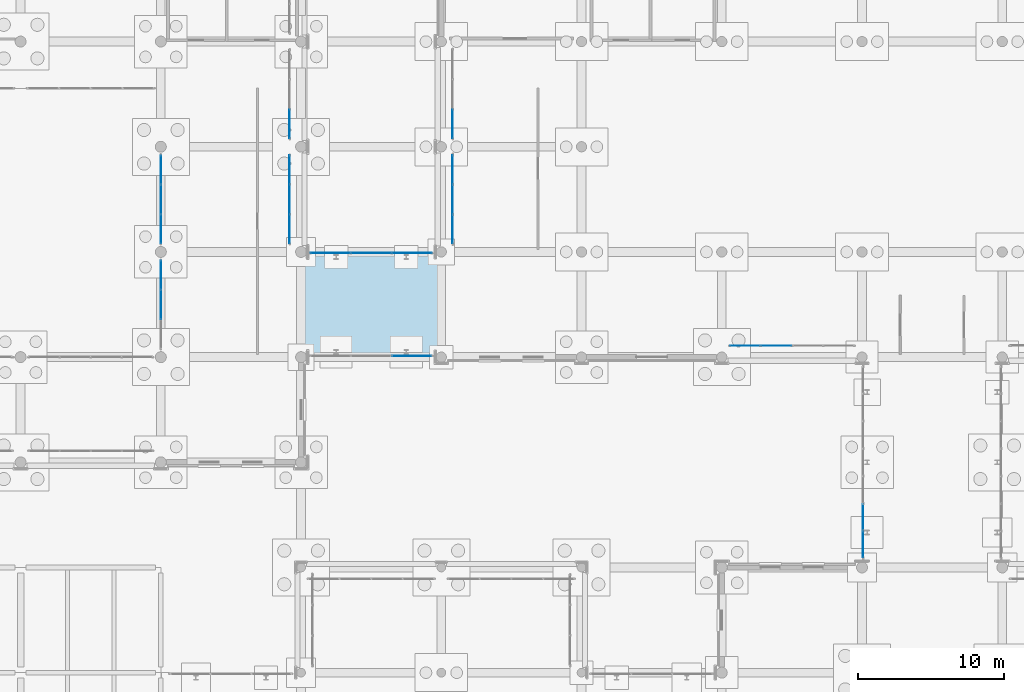
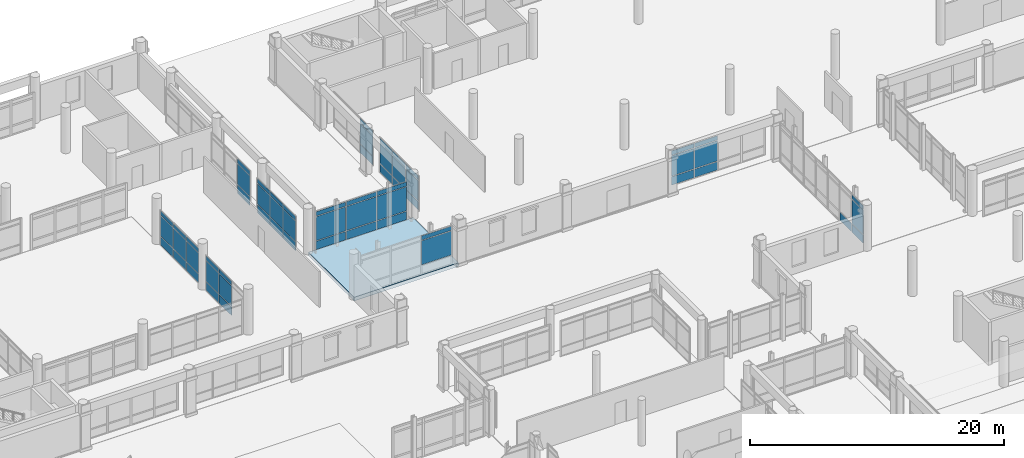
# One storey, part 152 of 196: 60 plates, 1 slab, 10 elements without a shape of their own.
"""IFC4 building model written with IfcOpenShell, lengths in metres."""

from ifc_helpers import new_model, si_unit, direction, frame, origin, origin_2d, place, context, subcontext, project, spatial, polyline, rectangle, outline, extrude, material, layer, layer_set, type_object, element, aggregate, save


model = new_model("IFC4")

# Units and contexts
model_context = context("Model", 3, precision=1e-05, world=origin(), true_north=direction((0.0, 1.0)))
body_context = subcontext(model_context, "Body", "Model", "MODEL_VIEW")
ifc_project = project(units=[si_unit("LENGTHUNIT", "METRE"), si_unit("AREAUNIT", "SQUARE_METRE"), si_unit("VOLUMEUNIT", "CUBIC_METRE"), si_unit("PLANEANGLEUNIT", "RADIAN"), si_unit("MASSUNIT", "GRAM", prefix="KILO")], contexts=[model_context])

# Site, building, storey
site_placement = place(None, origin())
site = spatial("IfcSite", under=ifc_project, at=site_placement, CompositionType="ELEMENT")
building_placement = place(site_placement, origin())
building = spatial("IfcBuilding", under=site, at=building_placement, Name="Asteropetra Specialist Clinic", CompositionType="ELEMENT")
storey_placement = place(building_placement, origin())
storey = spatial("IfcBuildingStorey", under=building, at=storey_placement, Name="L00", CompositionType="ELEMENT", Elevation=0.0)

# Curtain wall, plates
ifc_material_1 = material(Name="Aluminium and low-E glass", Category="aluminium")
ifc_layer_1 = layer(ifc_material_1, 0.179931640625)
ifc_layer_set_1 = layer_set([ifc_layer_1], Name="Aluminium and low-E glass")
curtain_wall_type_1 = type_object("IfcCurtainWallType", Name="CW-SYS-07", PredefinedType="USERDEFINED", material=ifc_layer_set_1)
curtain_wall_1_placement = place(storey_placement, origin())
curtain_wall_1 = element("IfcCurtainWall", 1, at=curtain_wall_1_placement, inside=storey, type_object=curtain_wall_type_1, Name="Curtain Wall CW-016", ObjectType="STICK GLAZED COLONNADE", PredefinedType="USERDEFINED")
ifc_material_2 = material(Name="Low-E double glazing", Category="glass")
ifc_layer_2 = layer(ifc_material_2, 0.028076171875)
ifc_layer_set_2 = layer_set([ifc_layer_2], Name="Low-E double glazing")
plate_type_1 = type_object("IfcPlateType", Name="CWP-GLZ-28", PredefinedType="CURTAIN_PANEL", material=ifc_layer_set_2)
plate_1_placement = place(storey_placement, frame((67.199951171875, 85.572998046875, 0.06494140625), z_axis=(0.0, 0.0, 1.0), x_axis=(0.0, 1.0, 0.0)))
plate_1 = element("IfcPlate", 2, at=plate_1_placement, type_object=plate_type_1, Name="CW-016 panel 1.1", PredefinedType="CURTAIN_PANEL", context=body_context, shape_type="SweptSolid", body=[
    extrude(rectangle(XDim=1.94580078125, YDim=0.028076171875, at=origin_2d()), origin(), (0.0, 0.0, 1.0), 0.802490234375),
])
plate_2_placement = place(storey_placement, frame((67.199951171875, 85.572998046875, 0.932373046875), z_axis=(0.0, 0.0, 1.0), x_axis=(0.0, 1.0, 0.0)))
plate_2 = element("IfcPlate", 3, at=plate_2_placement, type_object=plate_type_1, Name="CW-016 panel 1.2", PredefinedType="CURTAIN_PANEL", context=body_context, shape_type="SweptSolid", body=[
    extrude(rectangle(XDim=1.94580078125, YDim=0.028076171875, at=origin_2d()), origin(), (0.0, 0.0, 1.0), 1.955078125),
])
plate_3_placement = place(storey_placement, frame((67.199951171875, 85.572998046875, 2.95263671875), z_axis=(0.0, 0.0, 1.0), x_axis=(0.0, 1.0, 0.0)))
plate_3 = element("IfcPlate", 4, at=plate_3_placement, type_object=plate_type_1, Name="CW-016 panel 1.3", PredefinedType="CURTAIN_PANEL", context=body_context, shape_type="SweptSolid", body=[
    extrude(rectangle(XDim=1.94580078125, YDim=0.028076171875, at=origin_2d()), origin(), (0.0, 0.0, 1.0), 0.402587890625),
])
plate_4_placement = place(storey_placement, frame((67.199951171875, 87.60009765625, 0.06494140625), z_axis=(0.0, 0.0, 1.0), x_axis=(0.0, 1.0, 0.0)))
plate_4 = element("IfcPlate", 5, at=plate_4_placement, type_object=plate_type_1, Name="CW-016 panel 2.1", PredefinedType="CURTAIN_PANEL", context=body_context, shape_type="SweptSolid", body=[
    extrude(rectangle(XDim=1.978271484375, YDim=0.028076171875, at=origin_2d()), origin(), (0.0, 0.0, 1.0), 0.802490234375),
])
plate_5_placement = place(storey_placement, frame((67.199951171875, 87.60009765625, 0.932373046875), z_axis=(0.0, 0.0, 1.0), x_axis=(0.0, 1.0, 0.0)))
plate_5 = element("IfcPlate", 6, at=plate_5_placement, type_object=plate_type_1, Name="CW-016 panel 2.2", PredefinedType="CURTAIN_PANEL", context=body_context, shape_type="SweptSolid", body=[
    extrude(rectangle(XDim=1.978271484375, YDim=0.028076171875, at=origin_2d()), origin(), (0.0, 0.0, 1.0), 1.955078125),
])
plate_6_placement = place(storey_placement, frame((67.199951171875, 87.60009765625, 2.95263671875), z_axis=(0.0, 0.0, 1.0), x_axis=(0.0, 1.0, 0.0)))
plate_6 = element("IfcPlate", 7, at=plate_6_placement, type_object=plate_type_1, Name="CW-016 panel 2.3", PredefinedType="CURTAIN_PANEL", context=body_context, shape_type="SweptSolid", body=[
    extrude(rectangle(XDim=1.978271484375, YDim=0.028076171875, at=origin_2d()), origin(), (0.0, 0.0, 1.0), 0.402587890625),
])
plate_7_placement = place(storey_placement, frame((67.199951171875, 89.627197265625, 0.06494140625), z_axis=(0.0, 0.0, 1.0), x_axis=(0.0, 1.0, 0.0)))
plate_7 = element("IfcPlate", 8, at=plate_7_placement, type_object=plate_type_1, Name="CW-016 panel 3.1", PredefinedType="CURTAIN_PANEL", context=body_context, shape_type="SweptSolid", body=[
    extrude(rectangle(XDim=1.94580078125, YDim=0.028076171875, at=origin_2d()), origin(), (0.0, 0.0, 1.0), 0.802490234375),
])
plate_8_placement = place(storey_placement, frame((67.199951171875, 89.627197265625, 0.932373046875), z_axis=(0.0, 0.0, 1.0), x_axis=(0.0, 1.0, 0.0)))
plate_8 = element("IfcPlate", 9, at=plate_8_placement, type_object=plate_type_1, Name="CW-016 panel 3.2", PredefinedType="CURTAIN_PANEL", context=body_context, shape_type="SweptSolid", body=[
    extrude(rectangle(XDim=1.94580078125, YDim=0.028076171875, at=origin_2d()), origin(), (0.0, 0.0, 1.0), 1.955078125),
])
plate_9_placement = place(storey_placement, frame((67.199951171875, 89.627197265625, 2.95263671875), z_axis=(0.0, 0.0, 1.0), x_axis=(0.0, 1.0, 0.0)))
plate_9 = element("IfcPlate", 10, at=plate_9_placement, type_object=plate_type_1, Name="CW-016 panel 3.3", PredefinedType="CURTAIN_PANEL", context=body_context, shape_type="SweptSolid", body=[
    extrude(rectangle(XDim=1.94580078125, YDim=0.028076171875, at=origin_2d()), origin(), (0.0, 0.0, 1.0), 0.402587890625),
])
aggregate(curtain_wall_1, [plate_1, plate_2, plate_3, plate_4, plate_5, plate_6, plate_7, plate_8, plate_9])

ifc_material_3 = material(Name="Aluminium and low-E glass", Category="aluminium")
ifc_layer_3 = layer(ifc_material_3, 0.179931640625)
ifc_layer_set_3 = layer_set([ifc_layer_3], Name="Aluminium and low-E glass")
curtain_wall_type_2 = type_object("IfcCurtainWallType", Name="CW-SYS-10", PredefinedType="USERDEFINED", material=ifc_layer_set_3)
curtain_wall_2_placement = place(storey_placement, origin())
curtain_wall_2 = element("IfcCurtainWall", 11, at=curtain_wall_2_placement, inside=storey, type_object=curtain_wall_type_2, Name="Curtain Wall CW-188", ObjectType="STICK GLAZED COLONNADE", PredefinedType="USERDEFINED")
plate_10_placement = place(storey_placement, frame((76.02001953125, 85.57177734375, 0.06005859375), z_axis=(0.0, 0.0, 1.0), x_axis=(0.0, 1.0, 0.0)))
plate_10 = element("IfcPlate", 12, at=plate_10_placement, type_object=plate_type_1, Name="CW-188 panel 1.1", PredefinedType="CURTAIN_PANEL", context=body_context, shape_type="SweptSolid", body=[
    extrude(rectangle(XDim=1.953369140625, YDim=0.028076171875, at=origin_2d()), origin(), (0.0, 0.0, 1.0), 0.81005859375),
])
plate_11_placement = place(storey_placement, frame((76.02001953125, 85.57177734375, 0.929931640625), z_axis=(0.0, 0.0, 1.0), x_axis=(0.0, 1.0, 0.0)))
plate_11 = element("IfcPlate", 13, at=plate_11_placement, type_object=plate_type_1, Name="CW-188 panel 1.2", PredefinedType="CURTAIN_PANEL", context=body_context, shape_type="SweptSolid", body=[
    extrude(rectangle(XDim=1.953369140625, YDim=0.028076171875, at=origin_2d()), origin(), (0.0, 0.0, 1.0), 1.9599609375),
])
plate_12_placement = place(storey_placement, frame((76.02001953125, 85.57177734375, 2.9501953125), z_axis=(0.0, 0.0, 1.0), x_axis=(0.0, 1.0, 0.0)))
plate_12 = element("IfcPlate", 14, at=plate_12_placement, type_object=plate_type_1, Name="CW-188 panel 1.3", PredefinedType="CURTAIN_PANEL", context=body_context, shape_type="SweptSolid", body=[
    extrude(rectangle(XDim=1.953369140625, YDim=0.028076171875, at=origin_2d()), origin(), (0.0, 0.0, 1.0), 0.409912109375),
])
plate_13_placement = place(storey_placement, frame((76.02001953125, 87.60009765625, 0.06005859375), z_axis=(0.0, 0.0, 1.0), x_axis=(0.0, 1.0, 0.0)))
plate_13 = element("IfcPlate", 15, at=plate_13_placement, type_object=plate_type_1, Name="CW-188 panel 2.1", PredefinedType="CURTAIN_PANEL", context=body_context, shape_type="SweptSolid", body=[
    extrude(rectangle(XDim=1.9833984375, YDim=0.028076171875, at=origin_2d()), origin(), (0.0, 0.0, 1.0), 0.81005859375),
])
plate_14_placement = place(storey_placement, frame((76.02001953125, 87.60009765625, 0.929931640625), z_axis=(0.0, 0.0, 1.0), x_axis=(0.0, 1.0, 0.0)))
plate_14 = element("IfcPlate", 16, at=plate_14_placement, type_object=plate_type_1, Name="CW-188 panel 2.2", PredefinedType="CURTAIN_PANEL", context=body_context, shape_type="SweptSolid", body=[
    extrude(rectangle(XDim=1.9833984375, YDim=0.028076171875, at=origin_2d()), origin(), (0.0, 0.0, 1.0), 1.9599609375),
])
plate_15_placement = place(storey_placement, frame((76.02001953125, 87.60009765625, 2.9501953125), z_axis=(0.0, 0.0, 1.0), x_axis=(0.0, 1.0, 0.0)))
plate_15 = element("IfcPlate", 17, at=plate_15_placement, type_object=plate_type_1, Name="CW-188 panel 2.3", PredefinedType="CURTAIN_PANEL", context=body_context, shape_type="SweptSolid", body=[
    extrude(rectangle(XDim=1.9833984375, YDim=0.028076171875, at=origin_2d()), origin(), (0.0, 0.0, 1.0), 0.409912109375),
])
plate_16_placement = place(storey_placement, frame((76.02001953125, 89.62841796875, 0.06005859375), z_axis=(0.0, 0.0, 1.0), x_axis=(0.0, 1.0, 0.0)))
plate_16 = element("IfcPlate", 18, at=plate_16_placement, type_object=plate_type_1, Name="CW-188 panel 3.1", PredefinedType="CURTAIN_PANEL", context=body_context, shape_type="SweptSolid", body=[
    extrude(rectangle(XDim=1.953369140625, YDim=0.028076171875, at=origin_2d()), origin(), (0.0, 0.0, 1.0), 0.81005859375),
])
plate_17_placement = place(storey_placement, frame((76.02001953125, 89.62841796875, 0.929931640625), z_axis=(0.0, 0.0, 1.0), x_axis=(0.0, 1.0, 0.0)))
plate_17 = element("IfcPlate", 19, at=plate_17_placement, type_object=plate_type_1, Name="CW-188 panel 3.2", PredefinedType="CURTAIN_PANEL", context=body_context, shape_type="SweptSolid", body=[
    extrude(rectangle(XDim=1.953369140625, YDim=0.028076171875, at=origin_2d()), origin(), (0.0, 0.0, 1.0), 1.9599609375),
])
plate_18_placement = place(storey_placement, frame((76.02001953125, 89.62841796875, 2.9501953125), z_axis=(0.0, 0.0, 1.0), x_axis=(0.0, 1.0, 0.0)))
plate_18 = element("IfcPlate", 20, at=plate_18_placement, type_object=plate_type_1, Name="CW-188 panel 3.3", PredefinedType="CURTAIN_PANEL", context=body_context, shape_type="SweptSolid", body=[
    extrude(rectangle(XDim=1.953369140625, YDim=0.028076171875, at=origin_2d()), origin(), (0.0, 0.0, 1.0), 0.409912109375),
])
aggregate(curtain_wall_2, [plate_10, plate_11, plate_12, plate_13, plate_14, plate_15, plate_16, plate_17, plate_18])

curtain_wall_3_placement = place(storey_placement, origin())
curtain_wall_3 = element("IfcCurtainWall", 21, at=curtain_wall_3_placement, inside=storey, type_object=curtain_wall_type_2, Name="Curtain Wall CW-208", ObjectType="STICK GLAZED COLONNADE", PredefinedType="USERDEFINED")
plate_19_placement = place(storey_placement, frame((107.19873046875, 77.580078125, 0.06494140625), z_axis=(0.0, 0.0, 1.0), x_axis=(1.0, 0.0, 0.0)))
plate_19 = element("IfcPlate", 22, at=plate_19_placement, type_object=plate_type_1, Name="CW-208 panel 1.1", PredefinedType="CURTAIN_PANEL", context=body_context, shape_type="SweptSolid", body=[
    extrude(rectangle(XDim=2.047607421875, YDim=0.028076171875, at=origin_2d()), origin(), (0.0, 0.0, 1.0), 0.802490234375),
])
plate_20_placement = place(storey_placement, frame((107.19873046875, 77.580078125, 0.932373046875), z_axis=(0.0, 0.0, 1.0), x_axis=(1.0, 0.0, 0.0)))
plate_20 = element("IfcPlate", 23, at=plate_20_placement, type_object=plate_type_1, Name="CW-208 panel 1.2", PredefinedType="CURTAIN_PANEL", context=body_context, shape_type="SweptSolid", body=[
    extrude(rectangle(XDim=2.047607421875, YDim=0.028076171875, at=origin_2d()), origin(), (0.0, 0.0, 1.0), 1.955078125),
])
plate_21_placement = place(storey_placement, frame((107.19873046875, 77.580078125, 2.95263671875), z_axis=(0.0, 0.0, 1.0), x_axis=(1.0, 0.0, 0.0)))
plate_21 = element("IfcPlate", 24, at=plate_21_placement, type_object=plate_type_1, Name="CW-208 panel 1.3", PredefinedType="CURTAIN_PANEL", context=body_context, shape_type="SweptSolid", body=[
    extrude(rectangle(XDim=2.047607421875, YDim=0.028076171875, at=origin_2d()), origin(), (0.0, 0.0, 1.0), 0.402587890625),
])
plate_22_placement = place(storey_placement, frame((109.327392578125, 77.580078125, 0.06494140625), z_axis=(0.0, 0.0, 1.0), x_axis=(1.0, 0.0, 0.0)))
plate_22 = element("IfcPlate", 25, at=plate_22_placement, type_object=plate_type_1, Name="CW-208 panel 2.1", PredefinedType="CURTAIN_PANEL", context=body_context, shape_type="SweptSolid", body=[
    extrude(rectangle(XDim=2.080078125, YDim=0.028076171875, at=origin_2d()), origin(), (0.0, 0.0, 1.0), 0.802490234375),
])
plate_23_placement = place(storey_placement, frame((109.327392578125, 77.580078125, 0.932373046875), z_axis=(0.0, 0.0, 1.0), x_axis=(1.0, 0.0, 0.0)))
plate_23 = element("IfcPlate", 26, at=plate_23_placement, type_object=plate_type_1, Name="CW-208 panel 2.2", PredefinedType="CURTAIN_PANEL", context=body_context, shape_type="SweptSolid", body=[
    extrude(rectangle(XDim=2.080078125, YDim=0.028076171875, at=origin_2d()), origin(), (0.0, 0.0, 1.0), 1.955078125),
])
plate_24_placement = place(storey_placement, frame((109.327392578125, 77.580078125, 2.95263671875), z_axis=(0.0, 0.0, 1.0), x_axis=(1.0, 0.0, 0.0)))
plate_24 = element("IfcPlate", 27, at=plate_24_placement, type_object=plate_type_1, Name="CW-208 panel 2.3", PredefinedType="CURTAIN_PANEL", context=body_context, shape_type="SweptSolid", body=[
    extrude(rectangle(XDim=2.080078125, YDim=0.028076171875, at=origin_2d()), origin(), (0.0, 0.0, 1.0), 0.402587890625),
])
aggregate(curtain_wall_3, [plate_19, plate_20, plate_21, plate_22, plate_23, plate_24])

ifc_material_4 = material(Name="Aluminium and low-E glass", Category="aluminium")
ifc_layer_4 = layer(ifc_material_4, 0.179931640625)
ifc_layer_set_4 = layer_set([ifc_layer_4], Name="Aluminium and low-E glass")
curtain_wall_type_3 = type_object("IfcCurtainWallType", Name="CW-SYS-01", PredefinedType="USERDEFINED", material=ifc_layer_set_4)
curtain_wall_4_placement = place(storey_placement, origin())
curtain_wall_4 = element("IfcCurtainWall", 28, at=curtain_wall_4_placement, inside=storey, type_object=curtain_wall_type_3, Name="Curtain Wall CW-109", ObjectType="UNITISED CURTAIN WALL", PredefinedType="USERDEFINED")
ifc_material_5 = material(Name="Low-E acoustic double glazing", Category="glass")
ifc_layer_5 = layer(ifc_material_5, 0.031982421875)
ifc_layer_set_5 = layer_set([ifc_layer_5], Name="Low-E acoustic double glazing")
plate_type_2 = type_object("IfcPlateType", Name="CWP-GLZ-32", PredefinedType="CURTAIN_PANEL", material=ifc_layer_set_5)
plate_25_placement = place(storey_placement, frame((84.377197265625, 76.8798828125, 0.9326171875), z_axis=(0.0, 0.0, 1.0), x_axis=(1.0, 0.0, 0.0)))
plate_25 = element("IfcPlate", 29, at=plate_25_placement, type_object=plate_type_2, Name="CW-109 panel 3.2", PredefinedType="CURTAIN_PANEL", context=body_context, shape_type="SweptSolid", body=[
    extrude(rectangle(XDim=2.69580078125, YDim=0.031982421875, at=origin_2d()), origin(), (0.0, 0.0, 1.0), 2.304931640625),
])
plate_26_placement = place(storey_placement, frame((84.377197265625, 76.8798828125, 3.30224609375), z_axis=(0.0, 0.0, 1.0), x_axis=(1.0, 0.0, 0.0)))
plate_26 = element("IfcPlate", 30, at=plate_26_placement, type_object=plate_type_2, Name="CW-109 panel 3.3", PredefinedType="CURTAIN_PANEL", context=body_context, shape_type="SweptSolid", body=[
    extrude(rectangle(XDim=2.69580078125, YDim=0.031982421875, at=origin_2d()), origin(), (0.0, 0.0, 1.0), 0.402587890625),
])
aggregate(curtain_wall_4, [plate_25, plate_26])

ifc_material_6 = material(Name="Aluminium and low-E glass", Category="aluminium")
ifc_layer_6 = layer(ifc_material_6, 0.135009765625)
ifc_layer_set_6 = layer_set([ifc_layer_6], Name="Aluminium and low-E glass")
curtain_wall_type_4 = type_object("IfcCurtainWallType", Name="CW-SYS-12", PredefinedType="USERDEFINED", material=ifc_layer_set_6)
curtain_wall_5_placement = place(storey_placement, origin())
curtain_wall_5 = element("IfcCurtainWall", 31, at=curtain_wall_5_placement, inside=storey, type_object=curtain_wall_type_4, Name="Curtain Wall CW-117", ObjectType="STICK GLAZED COLONNADE", PredefinedType="USERDEFINED")
plate_27_placement = place(storey_placement, frame((115.280029296875, 63.97021484375, 0.074951171875), z_axis=(0.0, 0.0, 1.0), x_axis=(0.0, 1.0, 0.0)))
plate_27 = element("IfcPlate", 32, at=plate_27_placement, type_object=plate_type_2, Name="CW-117 panel 1.1", PredefinedType="CURTAIN_PANEL", context=body_context, shape_type="SweptSolid", body=[
    extrude(rectangle(XDim=1.770263671875, YDim=0.031982421875, at=origin_2d()), origin(), (0.0, 0.0, 1.0), 0.78759765625),
])
plate_28_placement = place(storey_placement, frame((115.280029296875, 63.97021484375, 0.9375), z_axis=(0.0, 0.0, 1.0), x_axis=(0.0, 1.0, 0.0)))
plate_28 = element("IfcPlate", 33, at=plate_28_placement, type_object=plate_type_2, Name="CW-117 panel 1.2", PredefinedType="CURTAIN_PANEL", context=body_context, shape_type="SweptSolid", body=[
    extrude(rectangle(XDim=1.770263671875, YDim=0.031982421875, at=origin_2d()), origin(), (0.0, 0.0, 1.0), 2.294921875),
])
plate_29_placement = place(storey_placement, frame((115.280029296875, 63.97021484375, 3.3076171875), z_axis=(0.0, 0.0, 1.0), x_axis=(0.0, 1.0, 0.0)))
plate_29 = element("IfcPlate", 34, at=plate_29_placement, type_object=plate_type_2, Name="CW-117 panel 1.3", PredefinedType="CURTAIN_PANEL", context=body_context, shape_type="SweptSolid", body=[
    extrude(rectangle(XDim=1.770263671875, YDim=0.031982421875, at=origin_2d()), origin(), (0.0, 0.0, 1.0), 0.387451171875),
])
plate_30_placement = place(storey_placement, frame((115.280029296875, 65.834228515625, 0.074951171875), z_axis=(0.0, 0.0, 1.0), x_axis=(0.0, 1.0, 0.0)))
plate_30 = element("IfcPlate", 35, at=plate_30_placement, type_object=plate_type_2, Name="CW-117 panel 2.1", PredefinedType="CURTAIN_PANEL", context=body_context, shape_type="SweptSolid", body=[
    extrude(rectangle(XDim=1.807861328125, YDim=0.031982421875, at=origin_2d()), origin(), (0.0, 0.0, 1.0), 0.78759765625),
])
aggregate(curtain_wall_5, [plate_27, plate_28, plate_29, plate_30])

curtain_wall_6_placement = place(storey_placement, origin())
curtain_wall_6 = element("IfcCurtainWall", 36, at=curtain_wall_6_placement, inside=storey, type_object=curtain_wall_type_2, Name="Curtain Wall CW-213", ObjectType="STICK GLAZED COLONNADE", PredefinedType="USERDEFINED")
plate_31_placement = place(storey_placement, frame((87.179931640625, 89.641357421875, 0.074951171875), z_axis=(0.0, 0.0, 1.0), x_axis=(0.0, -1.0, 0.0)))
plate_31 = element("IfcPlate", 37, at=plate_31_placement, type_object=plate_type_2, Name="CW-213 panel 1.1", PredefinedType="CURTAIN_PANEL", context=body_context, shape_type="SweptSolid", body=[
    extrude(rectangle(XDim=1.947509765625, YDim=0.031982421875, at=origin_2d()), origin(), (0.0, 0.0, 1.0), 0.78759765625),
])
plate_32_placement = place(storey_placement, frame((87.179931640625, 89.641357421875, 0.9375), z_axis=(0.0, 0.0, 1.0), x_axis=(0.0, -1.0, 0.0)))
plate_32 = element("IfcPlate", 38, at=plate_32_placement, type_object=plate_type_2, Name="CW-213 panel 1.2", PredefinedType="CURTAIN_PANEL", context=body_context, shape_type="SweptSolid", body=[
    extrude(rectangle(XDim=1.947509765625, YDim=0.031982421875, at=origin_2d()), origin(), (0.0, 0.0, 1.0), 1.945068359375),
])
plate_33_placement = place(storey_placement, frame((87.179931640625, 89.641357421875, 2.95751953125), z_axis=(0.0, 0.0, 1.0), x_axis=(0.0, -1.0, 0.0)))
plate_33 = element("IfcPlate", 39, at=plate_33_placement, type_object=plate_type_2, Name="CW-213 panel 1.3", PredefinedType="CURTAIN_PANEL", context=body_context, shape_type="SweptSolid", body=[
    extrude(rectangle(XDim=1.947509765625, YDim=0.031982421875, at=origin_2d()), origin(), (0.0, 0.0, 1.0), 0.387451171875),
])
plate_34_placement = place(storey_placement, frame((87.179931640625, 87.60009765625, 0.074951171875), z_axis=(0.0, 0.0, 1.0), x_axis=(0.0, -1.0, 0.0)))
plate_34 = element("IfcPlate", 40, at=plate_34_placement, type_object=plate_type_2, Name="CW-213 panel 2.1", PredefinedType="CURTAIN_PANEL", context=body_context, shape_type="SweptSolid", body=[
    extrude(rectangle(XDim=1.985107421875, YDim=0.031982421875, at=origin_2d()), origin(), (0.0, 0.0, 1.0), 0.78759765625),
])
plate_35_placement = place(storey_placement, frame((87.179931640625, 87.60009765625, 0.9375), z_axis=(0.0, 0.0, 1.0), x_axis=(0.0, -1.0, 0.0)))
plate_35 = element("IfcPlate", 41, at=plate_35_placement, type_object=plate_type_2, Name="CW-213 panel 2.2", PredefinedType="CURTAIN_PANEL", context=body_context, shape_type="SweptSolid", body=[
    extrude(rectangle(XDim=1.985107421875, YDim=0.031982421875, at=origin_2d()), origin(), (0.0, 0.0, 1.0), 1.945068359375),
])
plate_36_placement = place(storey_placement, frame((87.179931640625, 87.60009765625, 2.95751953125), z_axis=(0.0, 0.0, 1.0), x_axis=(0.0, -1.0, 0.0)))
plate_36 = element("IfcPlate", 42, at=plate_36_placement, type_object=plate_type_2, Name="CW-213 panel 2.3", PredefinedType="CURTAIN_PANEL", context=body_context, shape_type="SweptSolid", body=[
    extrude(rectangle(XDim=1.985107421875, YDim=0.031982421875, at=origin_2d()), origin(), (0.0, 0.0, 1.0), 0.387451171875),
])
plate_37_placement = place(storey_placement, frame((87.179931640625, 85.558837890625, 0.074951171875), z_axis=(0.0, 0.0, 1.0), x_axis=(0.0, -1.0, 0.0)))
plate_37 = element("IfcPlate", 43, at=plate_37_placement, type_object=plate_type_2, Name="CW-213 panel 3.1", PredefinedType="CURTAIN_PANEL", context=body_context, shape_type="SweptSolid", body=[
    extrude(rectangle(XDim=1.947509765625, YDim=0.031982421875, at=origin_2d()), origin(), (0.0, 0.0, 1.0), 0.78759765625),
])
plate_38_placement = place(storey_placement, frame((87.179931640625, 85.558837890625, 0.9375), z_axis=(0.0, 0.0, 1.0), x_axis=(0.0, -1.0, 0.0)))
plate_38 = element("IfcPlate", 44, at=plate_38_placement, type_object=plate_type_2, Name="CW-213 panel 3.2", PredefinedType="CURTAIN_PANEL", context=body_context, shape_type="SweptSolid", body=[
    extrude(rectangle(XDim=1.947509765625, YDim=0.031982421875, at=origin_2d()), origin(), (0.0, 0.0, 1.0), 1.945068359375),
])
plate_39_placement = place(storey_placement, frame((87.179931640625, 85.558837890625, 2.95751953125), z_axis=(0.0, 0.0, 1.0), x_axis=(0.0, -1.0, 0.0)))
plate_39 = element("IfcPlate", 45, at=plate_39_placement, type_object=plate_type_2, Name="CW-213 panel 3.3", PredefinedType="CURTAIN_PANEL", context=body_context, shape_type="SweptSolid", body=[
    extrude(rectangle(XDim=1.947509765625, YDim=0.031982421875, at=origin_2d()), origin(), (0.0, 0.0, 1.0), 0.387451171875),
])
aggregate(curtain_wall_6, [plate_31, plate_32, plate_33, plate_34, plate_35, plate_36, plate_37, plate_38, plate_39])

ifc_material_7 = material(Name="Aluminium and low-E glass", Category="aluminium")
ifc_layer_7 = layer(ifc_material_7, 0.135009765625)
ifc_layer_set_7 = layer_set([ifc_layer_7], Name="Aluminium and low-E glass")
curtain_wall_type_5 = type_object("IfcCurtainWallType", Name="CW-SYS-06", PredefinedType="USERDEFINED", material=ifc_layer_set_7)
curtain_wall_7_placement = place(storey_placement, origin())
curtain_wall_7 = element("IfcCurtainWall", 46, at=curtain_wall_7_placement, inside=storey, type_object=curtain_wall_type_5, Name="Curtain Wall CW-014", ObjectType="UNITISED CURTAIN WALL", PredefinedType="USERDEFINED")
ifc_material_8 = material(Name="Solar-control triple glazing", Category="glass")
ifc_layer_8 = layer(ifc_material_8, 0.035888671875)
ifc_layer_set_8 = layer_set([ifc_layer_8], Name="Solar-control triple glazing")
plate_type_3 = type_object("IfcPlateType", Name="CWP-GLZ-36", PredefinedType="CURTAIN_PANEL", material=ifc_layer_set_8)
plate_40_placement = place(storey_placement, frame((67.199951171875, 80.39990234375, 0.06005859375), z_axis=(0.0, 0.0, 1.0), x_axis=(0.0, 1.0, 0.0)))
plate_40 = element("IfcPlate", 47, at=plate_40_placement, type_object=plate_type_3, Name="CW-014 panel 2.1", PredefinedType="CURTAIN_PANEL", context=body_context, shape_type="SweptSolid", body=[
    extrude(rectangle(XDim=1.9833984375, YDim=0.035888671875, at=origin_2d()), origin(), (0.0, 0.0, 1.0), 0.81005859375),
])
plate_41_placement = place(storey_placement, frame((67.199951171875, 80.39990234375, 0.929931640625), z_axis=(0.0, 0.0, 1.0), x_axis=(0.0, 1.0, 0.0)))
plate_41 = element("IfcPlate", 48, at=plate_41_placement, type_object=plate_type_3, Name="CW-014 panel 2.2", PredefinedType="CURTAIN_PANEL", context=body_context, shape_type="SweptSolid", body=[
    extrude(rectangle(XDim=1.9833984375, YDim=0.035888671875, at=origin_2d()), origin(), (0.0, 0.0, 1.0), 1.9599609375),
])
plate_42_placement = place(storey_placement, frame((67.199951171875, 80.39990234375, 2.9501953125), z_axis=(0.0, 0.0, 1.0), x_axis=(0.0, 1.0, 0.0)))
plate_42 = element("IfcPlate", 49, at=plate_42_placement, type_object=plate_type_3, Name="CW-014 panel 2.3", PredefinedType="CURTAIN_PANEL", context=body_context, shape_type="SweptSolid", body=[
    extrude(rectangle(XDim=1.9833984375, YDim=0.035888671875, at=origin_2d()), origin(), (0.0, 0.0, 1.0), 0.409912109375),
])
plate_43_placement = place(storey_placement, frame((67.199951171875, 82.42822265625, 0.06005859375), z_axis=(0.0, 0.0, 1.0), x_axis=(0.0, 1.0, 0.0)))
plate_43 = element("IfcPlate", 50, at=plate_43_placement, type_object=plate_type_3, Name="CW-014 panel 3.1", PredefinedType="CURTAIN_PANEL", context=body_context, shape_type="SweptSolid", body=[
    extrude(rectangle(XDim=1.953369140625, YDim=0.035888671875, at=origin_2d()), origin(), (0.0, 0.0, 1.0), 0.81005859375),
])
plate_44_placement = place(storey_placement, frame((67.199951171875, 82.42822265625, 0.929931640625), z_axis=(0.0, 0.0, 1.0), x_axis=(0.0, 1.0, 0.0)))
plate_44 = element("IfcPlate", 51, at=plate_44_placement, type_object=plate_type_3, Name="CW-014 panel 3.2", PredefinedType="CURTAIN_PANEL", context=body_context, shape_type="SweptSolid", body=[
    extrude(rectangle(XDim=1.953369140625, YDim=0.035888671875, at=origin_2d()), origin(), (0.0, 0.0, 1.0), 1.9599609375),
])
plate_45_placement = place(storey_placement, frame((67.199951171875, 82.42822265625, 2.9501953125), z_axis=(0.0, 0.0, 1.0), x_axis=(0.0, 1.0, 0.0)))
plate_45 = element("IfcPlate", 52, at=plate_45_placement, type_object=plate_type_3, Name="CW-014 panel 3.3", PredefinedType="CURTAIN_PANEL", context=body_context, shape_type="SweptSolid", body=[
    extrude(rectangle(XDim=1.953369140625, YDim=0.035888671875, at=origin_2d()), origin(), (0.0, 0.0, 1.0), 0.409912109375),
])
aggregate(curtain_wall_7, [plate_40, plate_41, plate_42, plate_43, plate_44, plate_45])

ifc_material_9 = material(Name="Aluminium and low-E glass", Category="aluminium")
ifc_layer_9 = layer(ifc_material_9, 0.14990234375)
ifc_layer_set_9 = layer_set([ifc_layer_9], Name="Aluminium and low-E glass")
curtain_wall_type_6 = type_object("IfcCurtainWallType", Name="CW-SYS-02", PredefinedType="USERDEFINED", material=ifc_layer_set_9)
curtain_wall_8_placement = place(storey_placement, origin())
curtain_wall_8 = element("IfcCurtainWall", 53, at=curtain_wall_8_placement, inside=storey, type_object=curtain_wall_type_6, Name="Curtain Wall CW-110", ObjectType="UNITISED CURTAIN WALL", PredefinedType="USERDEFINED")
plate_46_placement = place(storey_placement, frame((84.37841796875, 83.919921875, 0.06005859375), z_axis=(0.0, 0.0, 1.0), x_axis=(-1.0, 0.0, 0.0)))
plate_46 = element("IfcPlate", 54, at=plate_46_placement, type_object=plate_type_3, Name="CW-110 panel 1.1", PredefinedType="CURTAIN_PANEL", context=body_context, shape_type="SweptSolid", body=[
    extrude(rectangle(XDim=2.703369140625, YDim=0.035888671875, at=origin_2d()), origin(), (0.0, 0.0, 1.0), 0.81005859375),
])
plate_47_placement = place(storey_placement, frame((84.37841796875, 83.919921875, 0.929931640625), z_axis=(0.0, 0.0, 1.0), x_axis=(-1.0, 0.0, 0.0)))
plate_47 = element("IfcPlate", 55, at=plate_47_placement, type_object=plate_type_3, Name="CW-110 panel 1.2", PredefinedType="CURTAIN_PANEL", context=body_context, shape_type="SweptSolid", body=[
    extrude(rectangle(XDim=2.703369140625, YDim=0.035888671875, at=origin_2d()), origin(), (0.0, 0.0, 1.0), 2.31005859375),
])
plate_48_placement = place(storey_placement, frame((84.37841796875, 83.919921875, 3.2998046875), z_axis=(0.0, 0.0, 1.0), x_axis=(-1.0, 0.0, 0.0)))
plate_48 = element("IfcPlate", 56, at=plate_48_placement, type_object=plate_type_3, Name="CW-110 panel 1.3", PredefinedType="CURTAIN_PANEL", context=body_context, shape_type="SweptSolid", body=[
    extrude(rectangle(XDim=2.703369140625, YDim=0.035888671875, at=origin_2d()), origin(), (0.0, 0.0, 1.0), 0.409912109375),
])
plate_49_placement = place(storey_placement, frame((81.60009765625, 83.919921875, 0.06005859375), z_axis=(0.0, 0.0, 1.0), x_axis=(-1.0, 0.0, 0.0)))
plate_49 = element("IfcPlate", 57, at=plate_49_placement, type_object=plate_type_3, Name="CW-110 panel 2.1", PredefinedType="CURTAIN_PANEL", context=body_context, shape_type="SweptSolid", body=[
    extrude(rectangle(XDim=2.7333984375, YDim=0.035888671875, at=origin_2d()), origin(), (0.0, 0.0, 1.0), 0.81005859375),
])
plate_50_placement = place(storey_placement, frame((81.60009765625, 83.919921875, 0.929931640625), z_axis=(0.0, 0.0, 1.0), x_axis=(-1.0, 0.0, 0.0)))
plate_50 = element("IfcPlate", 58, at=plate_50_placement, type_object=plate_type_3, Name="CW-110 panel 2.2", PredefinedType="CURTAIN_PANEL", context=body_context, shape_type="SweptSolid", body=[
    extrude(rectangle(XDim=2.7333984375, YDim=0.035888671875, at=origin_2d()), origin(), (0.0, 0.0, 1.0), 2.31005859375),
])
plate_51_placement = place(storey_placement, frame((81.60009765625, 83.919921875, 3.2998046875), z_axis=(0.0, 0.0, 1.0), x_axis=(-1.0, 0.0, 0.0)))
plate_51 = element("IfcPlate", 59, at=plate_51_placement, type_object=plate_type_3, Name="CW-110 panel 2.3", PredefinedType="CURTAIN_PANEL", context=body_context, shape_type="SweptSolid", body=[
    extrude(rectangle(XDim=2.7333984375, YDim=0.035888671875, at=origin_2d()), origin(), (0.0, 0.0, 1.0), 0.409912109375),
])
plate_52_placement = place(storey_placement, frame((78.82177734375, 83.919921875, 0.06005859375), z_axis=(0.0, 0.0, 1.0), x_axis=(-1.0, 0.0, 0.0)))
plate_52 = element("IfcPlate", 60, at=plate_52_placement, type_object=plate_type_3, Name="CW-110 panel 3.1", PredefinedType="CURTAIN_PANEL", context=body_context, shape_type="SweptSolid", body=[
    extrude(rectangle(XDim=2.703369140625, YDim=0.035888671875, at=origin_2d()), origin(), (0.0, 0.0, 1.0), 0.81005859375),
])
plate_53_placement = place(storey_placement, frame((78.82177734375, 83.919921875, 0.929931640625), z_axis=(0.0, 0.0, 1.0), x_axis=(-1.0, 0.0, 0.0)))
plate_53 = element("IfcPlate", 61, at=plate_53_placement, type_object=plate_type_3, Name="CW-110 panel 3.2", PredefinedType="CURTAIN_PANEL", context=body_context, shape_type="SweptSolid", body=[
    extrude(rectangle(XDim=2.703369140625, YDim=0.035888671875, at=origin_2d()), origin(), (0.0, 0.0, 1.0), 2.31005859375),
])
plate_54_placement = place(storey_placement, frame((78.82177734375, 83.919921875, 3.2998046875), z_axis=(0.0, 0.0, 1.0), x_axis=(-1.0, 0.0, 0.0)))
plate_54 = element("IfcPlate", 62, at=plate_54_placement, type_object=plate_type_3, Name="CW-110 panel 3.3", PredefinedType="CURTAIN_PANEL", context=body_context, shape_type="SweptSolid", body=[
    extrude(rectangle(XDim=2.703369140625, YDim=0.035888671875, at=origin_2d()), origin(), (0.0, 0.0, 1.0), 0.409912109375),
])
aggregate(curtain_wall_8, [plate_46, plate_47, plate_48, plate_49, plate_50, plate_51, plate_52, plate_53, plate_54])

curtain_wall_9_placement = place(storey_placement, origin())
curtain_wall_9 = element("IfcCurtainWall", 63, at=curtain_wall_9_placement, inside=storey, type_object=curtain_wall_type_3, Name="Curtain Wall CW-190", ObjectType="UNITISED CURTAIN WALL", PredefinedType="USERDEFINED")
plate_55_placement = place(storey_placement, frame((76.02001953125, 92.77294921875, 0.06494140625), z_axis=(0.0, 0.0, 1.0), x_axis=(0.0, 1.0, 0.0)))
plate_55 = element("IfcPlate", 64, at=plate_55_placement, type_object=plate_type_3, Name="CW-190 panel 1.1", PredefinedType="CURTAIN_PANEL", context=body_context, shape_type="SweptSolid", body=[
    extrude(rectangle(XDim=1.94580078125, YDim=0.035888671875, at=origin_2d()), origin(), (0.0, 0.0, 1.0), 0.802490234375),
])
plate_56_placement = place(storey_placement, frame((76.02001953125, 92.77294921875, 0.932373046875), z_axis=(0.0, 0.0, 1.0), x_axis=(0.0, 1.0, 0.0)))
plate_56 = element("IfcPlate", 65, at=plate_56_placement, type_object=plate_type_3, Name="CW-190 panel 1.2", PredefinedType="CURTAIN_PANEL", context=body_context, shape_type="SweptSolid", body=[
    extrude(rectangle(XDim=1.94580078125, YDim=0.035888671875, at=origin_2d()), origin(), (0.0, 0.0, 1.0), 1.955078125),
])
plate_57_placement = place(storey_placement, frame((76.02001953125, 92.77294921875, 2.95263671875), z_axis=(0.0, 0.0, 1.0), x_axis=(0.0, 1.0, 0.0)))
plate_57 = element("IfcPlate", 66, at=plate_57_placement, type_object=plate_type_3, Name="CW-190 panel 1.3", PredefinedType="CURTAIN_PANEL", context=body_context, shape_type="SweptSolid", body=[
    extrude(rectangle(XDim=1.94580078125, YDim=0.035888671875, at=origin_2d()), origin(), (0.0, 0.0, 1.0), 0.402587890625),
])
aggregate(curtain_wall_9, [plate_55, plate_56, plate_57])

curtain_wall_10_placement = place(storey_placement, origin())
curtain_wall_10 = element("IfcCurtainWall", 67, at=curtain_wall_10_placement, inside=storey, type_object=curtain_wall_type_3, Name="Curtain Wall CW-215", ObjectType="UNITISED CURTAIN WALL", PredefinedType="USERDEFINED")
ifc_material_10 = material(Name="Laminated skylight glazing", Category="glass")
ifc_layer_10 = layer(ifc_material_10, 0.0400390625)
ifc_layer_set_10 = layer_set([ifc_layer_10], Name="Laminated skylight glazing")
plate_type_4 = type_object("IfcPlateType", Name="CWP-GLZ-40", PredefinedType="CURTAIN_PANEL", material=ifc_layer_set_10)
plate_58_placement = place(storey_placement, frame((87.179931640625, 92.7548828125, 0.06005859375), z_axis=(0.0, 0.0, 1.0), x_axis=(0.0, -1.0, 0.0)))
plate_58 = element("IfcPlate", 68, at=plate_58_placement, type_object=plate_type_4, Name="CW-215 panel 3.1", PredefinedType="CURTAIN_PANEL", context=body_context, shape_type="SweptSolid", body=[
    extrude(rectangle(XDim=1.969970703125, YDim=0.0400390625, at=origin_2d()), origin(), (0.0, 0.0, 1.0), 0.81005859375),
])
plate_59_placement = place(storey_placement, frame((87.179931640625, 92.7548828125, 0.929931640625), z_axis=(0.0, 0.0, 1.0), x_axis=(0.0, -1.0, 0.0)))
plate_59 = element("IfcPlate", 69, at=plate_59_placement, type_object=plate_type_4, Name="CW-215 panel 3.2", PredefinedType="CURTAIN_PANEL", context=body_context, shape_type="SweptSolid", body=[
    extrude(rectangle(XDim=1.969970703125, YDim=0.0400390625, at=origin_2d()), origin(), (0.0, 0.0, 1.0), 1.9599609375),
])
plate_60_placement = place(storey_placement, frame((87.179931640625, 92.7548828125, 2.9501953125), z_axis=(0.0, 0.0, 1.0), x_axis=(0.0, -1.0, 0.0)))
plate_60 = element("IfcPlate", 70, at=plate_60_placement, type_object=plate_type_4, Name="CW-215 panel 3.3", PredefinedType="CURTAIN_PANEL", context=body_context, shape_type="SweptSolid", body=[
    extrude(rectangle(XDim=1.969970703125, YDim=0.0400390625, at=origin_2d()), origin(), (0.0, 0.0, 1.0), 0.409912109375),
])
aggregate(curtain_wall_10, [plate_58, plate_59, plate_60])

# Slab
ifc_material_11 = material(Name="Concrete C35/45", Category="concrete")
ifc_layer_11 = layer(ifc_material_11, 0.35009765625)
ifc_layer_set_11 = layer_set([ifc_layer_11], Name="Concrete C35/45")
slab_type = type_object("IfcSlabType", Name="SLB-BASE-350", PredefinedType="BASESLAB", material=ifc_layer_set_11)
slab_placement = place(storey_placement, frame((0.0, 0.0, -0.35009765625)))
element("IfcSlab", 71, at=slab_placement, inside=storey, type_object=slab_type, Name="Slab LP3 L00", PredefinedType="BASESLAB", context=body_context, shape_type="SweptSolid", body=[
    extrude(outline(polyline([(76.840087890625, 76.800048828125), (86.360107421875, 76.800048828125), (86.360107421875, 84.0), (76.840087890625, 84.0), (76.840087890625, 76.800048828125)])), origin(), (0.0, 0.0, 1.0), 0.35009765625),
])

save(model, "model.ifc")
